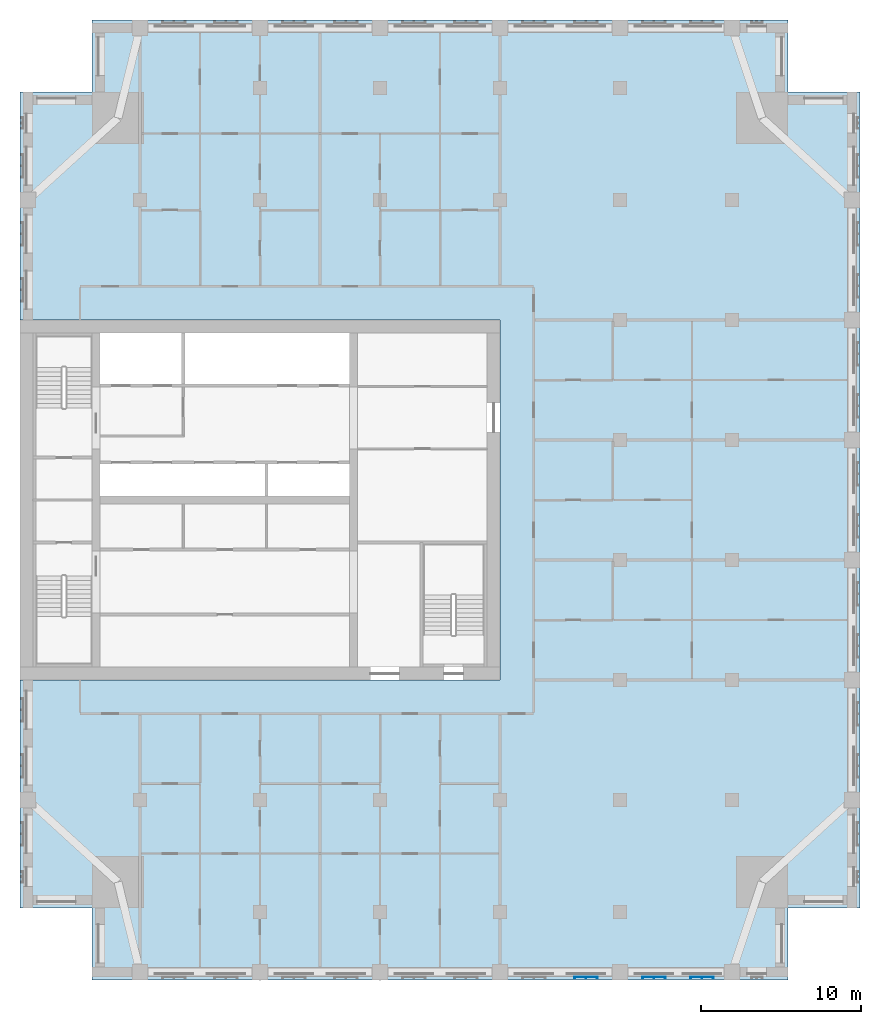
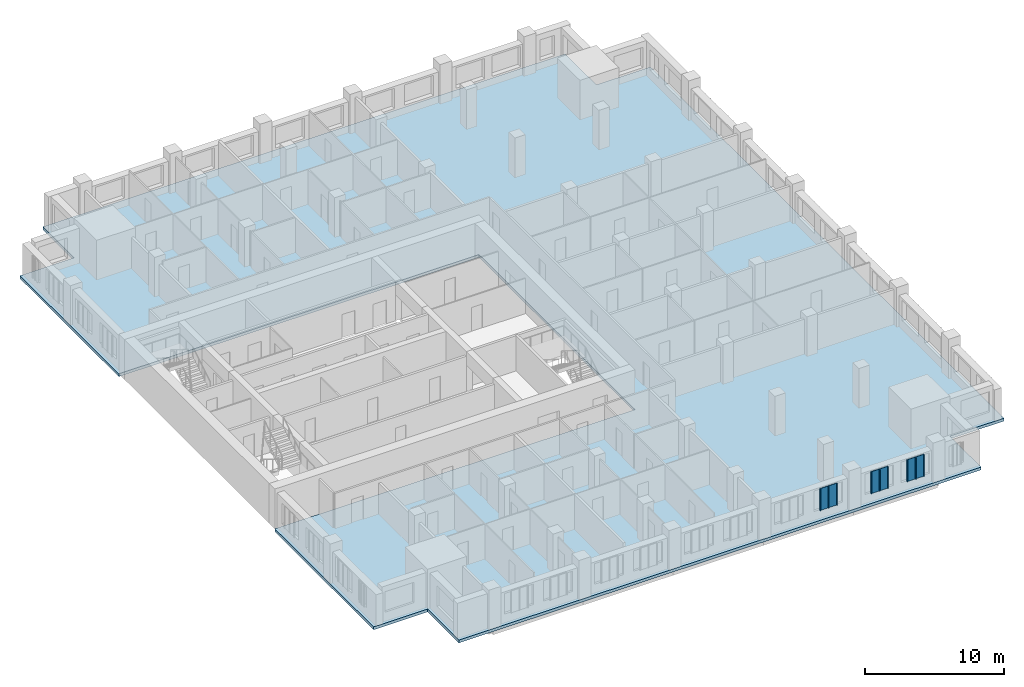
# One storey, part 3 of 14: 3 plates, 1 slab.
"""IFC4 building model written with IfcOpenShell, lengths in metres."""

from ifc_helpers import new_model, si_unit, direction, frame, origin, place, context, subcontext, project, spatial, polyline, outline, extrude, material, layer, layer_set, type_object, element, save


model = new_model("IFC4")

# Units and contexts
model_context = context("Model", 3, precision=1e-05, world=origin(), true_north=direction((0.0, 1.0)))
body_context = subcontext(model_context, "Body", "Model", "MODEL_VIEW")
ifc_project = project(units=[si_unit("LENGTHUNIT", "METRE"), si_unit("AREAUNIT", "SQUARE_METRE"), si_unit("VOLUMEUNIT", "CUBIC_METRE"), si_unit("PLANEANGLEUNIT", "RADIAN"), si_unit("MASSUNIT", "GRAM", prefix="KILO")], contexts=[model_context])

# Site, building, storey
site_placement = place(None, origin())
site = spatial("IfcSite", under=ifc_project, at=site_placement, CompositionType="ELEMENT")
building_placement = place(site_placement, origin())
building = spatial("IfcBuilding", under=site, at=building_placement, Name="Tamorin Gate", CompositionType="ELEMENT")
storey_placement = place(building_placement, frame((0.0, 0.0, 210.699951171875)))
storey = spatial("IfcBuildingStorey", under=building, at=storey_placement, Name="L52", CompositionType="ELEMENT", Elevation=210.699951171875)

# Slab
ifc_material_1 = material(Name="Concrete C40/50", Category="concrete")
ifc_layer_1 = layer(ifc_material_1, 0.25)
ifc_layer_set_1 = layer_set([ifc_layer_1], Name="Floor slab 250 C40/50")
slab_type = type_object("IfcSlabType", Name="Floor slab 250 C40/50", PredefinedType="FLOOR", material=ifc_layer_set_1)
slab_placement = place(storey_placement, frame((0.0, 0.0, -0.25)))
element("IfcSlab", 1, at=slab_placement, inside=storey, type_object=slab_type, Name="Floor L52", PredefinedType="FLOOR", context=body_context, shape_type="SweptSolid", body=[
    extrude(outline(polyline([(30.0, 96.75), (34.5, 96.75), (34.5, 101.25), (78.0, 101.25), (78.0, 96.75), (82.5, 96.75), (82.5, 45.75), (78.0, 45.75), (78.0, 41.25), (34.5, 41.25), (34.5, 45.75), (30.0, 45.75), (30.0, 60.0), (60.0, 60.0), (60.0, 82.5), (30.0, 82.5), (30.0, 96.75)])), origin(), (0.0, 0.0, 1.0), 0.25),
])

# Plates
ifc_material_2 = material(Name="Perforated pale aluminium sheet", Category="aluminium")
ifc_layer_2 = layer(ifc_material_2, 0.0400390625)
ifc_layer_set_2 = layer_set([ifc_layer_2], Name="Pale metal solar screen 1440")
plate_type = type_object("IfcPlateType", Name="Pale metal solar screen 1440", PredefinedType="SHEET", material=ifc_layer_set_2)
plate_1_placement = place(storey_placement, frame((0.0, 0.0, 0.737548828125)))
element("IfcPlate", 2, at=plate_1_placement, inside=storey, type_object=plate_type, Name="Perforated solar screen", PredefinedType="SHEET", context=body_context, shape_type="SweptSolid", body=[
    extrude(outline(polyline([(64.655029296875, 41.409912109375), (64.655029296875, 41.449951171875), (64.715087890625, 41.449951171875), (65.344970703125, 41.449951171875), (65.405029296875, 41.449951171875), (66.034912109375, 41.449951171875), (66.094970703125, 41.449951171875), (66.094970703125, 41.409912109375), (66.094970703125, 41.35009765625), (66.034912109375, 41.35009765625), (66.034912109375, 41.409912109375), (65.405029296875, 41.409912109375), (65.405029296875, 41.35009765625), (65.344970703125, 41.35009765625), (65.344970703125, 41.409912109375), (64.715087890625, 41.409912109375), (64.715087890625, 41.35009765625), (64.655029296875, 41.35009765625), (64.655029296875, 41.409912109375)])), origin(), (0.0, 0.0, 1.0), 1.925048828125),
])
plate_2_placement = place(storey_placement, frame((0.0, 0.0, 0.737548828125)))
element("IfcPlate", 3, at=plate_2_placement, inside=storey, type_object=plate_type, Name="Perforated solar screen", PredefinedType="SHEET", context=body_context, shape_type="SweptSolid", body=[
    extrude(outline(polyline([(68.905029296875, 41.409912109375), (68.905029296875, 41.449951171875), (68.965087890625, 41.449951171875), (69.594970703125, 41.449951171875), (69.655029296875, 41.449951171875), (70.284912109375, 41.449951171875), (70.344970703125, 41.449951171875), (70.344970703125, 41.409912109375), (70.344970703125, 41.35009765625), (70.284912109375, 41.35009765625), (70.284912109375, 41.409912109375), (69.655029296875, 41.409912109375), (69.655029296875, 41.35009765625), (69.594970703125, 41.35009765625), (69.594970703125, 41.409912109375), (68.965087890625, 41.409912109375), (68.965087890625, 41.35009765625), (68.905029296875, 41.35009765625), (68.905029296875, 41.409912109375)])), origin(), (0.0, 0.0, 1.0), 1.925048828125),
])
plate_3_placement = place(storey_placement, frame((0.0, 0.0, 0.737548828125)))
element("IfcPlate", 4, at=plate_3_placement, inside=storey, type_object=plate_type, Name="Perforated solar screen", PredefinedType="SHEET", context=body_context, shape_type="SweptSolid", body=[
    extrude(outline(polyline([(71.905029296875, 41.409912109375), (71.905029296875, 41.449951171875), (71.965087890625, 41.449951171875), (72.594970703125, 41.449951171875), (72.655029296875, 41.449951171875), (73.284912109375, 41.449951171875), (73.344970703125, 41.449951171875), (73.344970703125, 41.409912109375), (73.344970703125, 41.35009765625), (73.284912109375, 41.35009765625), (73.284912109375, 41.409912109375), (72.655029296875, 41.409912109375), (72.655029296875, 41.35009765625), (72.594970703125, 41.35009765625), (72.594970703125, 41.409912109375), (71.965087890625, 41.409912109375), (71.965087890625, 41.35009765625), (71.905029296875, 41.35009765625), (71.905029296875, 41.409912109375)])), origin(), (0.0, 0.0, 1.0), 1.925048828125),
])

save(model, "model.ifc")
